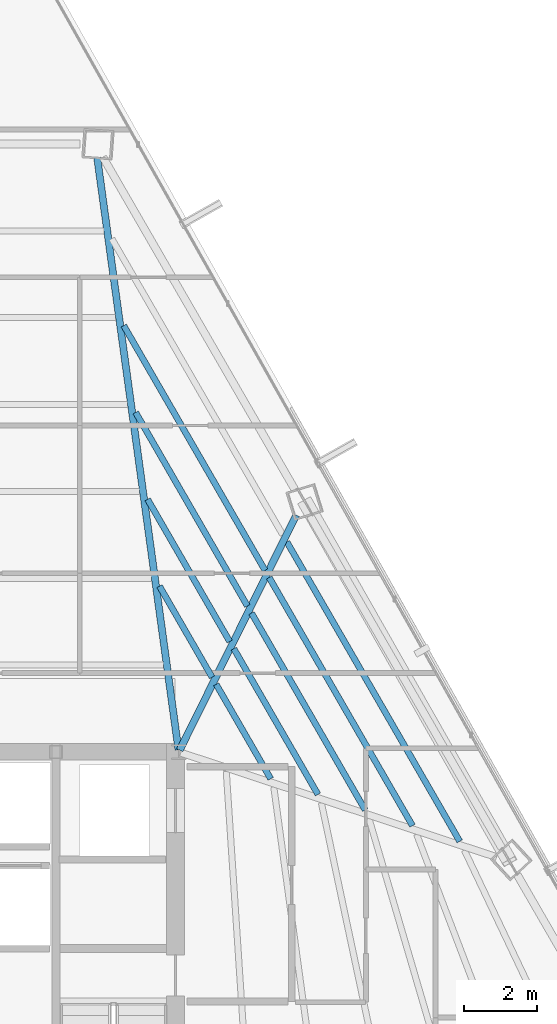
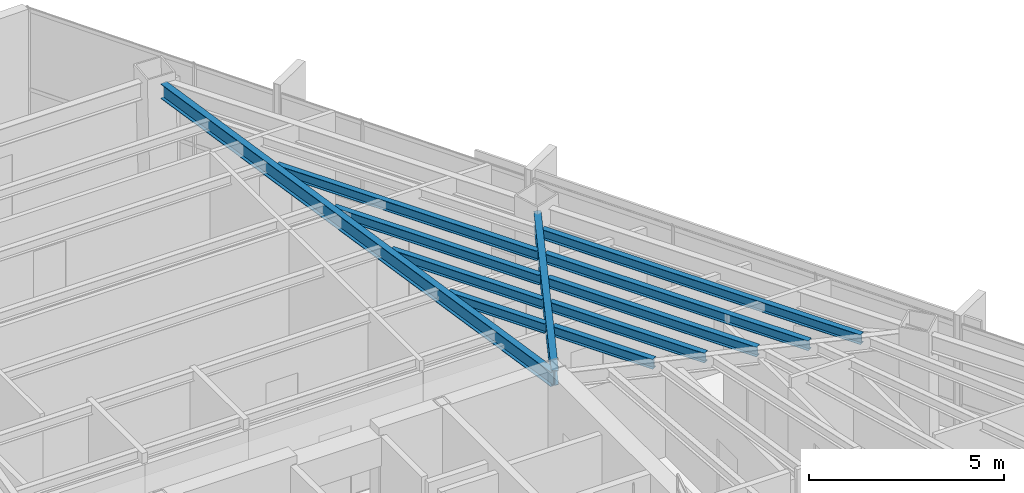
# One storey, part 25 of 42: 11 beams.
"""IFC4 building model written with IfcOpenShell, lengths in metres."""

from ifc_helpers import new_model, si_unit, direction, frame, origin, origin_2d, place, context, subcontext, project, spatial, i_section, extrude, source, transform, mapped, material, material_profile, profile_set, type_object, type_shapes, element, save


model = new_model("IFC4")

# Units and contexts
model_context = context("Model", 3, precision=1e-05, world=origin(), true_north=direction((0.0, 1.0)))
body_context = subcontext(model_context, "Body", "Model", "MODEL_VIEW")
ifc_project = project(units=[si_unit("LENGTHUNIT", "METRE"), si_unit("AREAUNIT", "SQUARE_METRE"), si_unit("VOLUMEUNIT", "CUBIC_METRE"), si_unit("PLANEANGLEUNIT", "RADIAN"), si_unit("MASSUNIT", "GRAM", prefix="KILO")], contexts=[model_context])

# Site, building, storey
site_placement = place(None, origin())
site = spatial("IfcSite", under=ifc_project, at=site_placement, CompositionType="ELEMENT")
building_placement = place(site_placement, origin())
building = spatial("IfcBuilding", under=site, at=building_placement, Name="Caelisora Broadcast Tower", CompositionType="ELEMENT")
storey_placement = place(building_placement, frame((0.0, 0.0, 195.0)))
storey = spatial("IfcBuildingStorey", under=building, at=storey_placement, Name="L51", CompositionType="ELEMENT", Elevation=195.0)

# Beams
ifc_material = material(Name="Steel Grade 350 (AS/NZS 3679.1)", Category="steel")
ifc_material_profile_1 = material_profile(ifc_material, i_section(OverallWidth=0.19091796875, OverallDepth=0.46044921875, WebThickness=0.010009765625, FlangeThickness=0.01611328125, at=origin_2d()), Name="Steel Grade 350 (AS/NZS 3679.1)")
ifc_profile_set_1 = profile_set([ifc_material_profile_1], Name="Steel Grade 350 (AS/NZS 3679.1)")
beam_type_1 = type_object("IfcBeamType", Name="PG06", PredefinedType="BEAM", material=ifc_profile_set_1)
shared_shape_1 = source(origin(), body_context, "Body", "SweptSolid", [
    extrude(i_section(OverallWidth=0.19091796875, OverallDepth=0.46044921875, WebThickness=0.010009765625, FlangeThickness=0.01611328125, at=origin_2d()), origin(), (0.0, 0.0, 1.0), 16.29248046875),
])
beam_1_placement = place(storey_placement, frame((45.49169921875, 30.059326171875, 3.169921875), z_axis=(-0.135958391487, 0.990714548084, 0.0), x_axis=(-0.990714548084, -0.135958391487, 0.0)))
element("IfcBeam", 1, at=beam_1_placement, inside=storey, type_object=beam_type_1, Name="L51 beam PG06", PredefinedType="BEAM", context=body_context, shape_type="MappedRepresentation", body=[
    mapped(shared_shape_1, transform((0.0, 0.0, 0.0), scale=1.0)),
])
shared_shape_2 = source(origin(), body_context, "Body", "SweptSolid", [
    extrude(i_section(OverallWidth=0.19091796875, OverallDepth=0.46044921875, WebThickness=0.010009765625, FlangeThickness=0.01611328125, at=origin_2d()), origin(), (0.0, 0.0, 1.0), 7.1494140625),
])
type_shapes(beam_type_1, [shared_shape_1, shared_shape_2])
beam_2_placement = place(storey_placement, frame((45.526611328125, 30.0537109375, 3.169921875), z_axis=(0.444411210266, 0.89582290448, 0.0), x_axis=(-0.89582290448, 0.444411210266, 0.0)))
element("IfcBeam", 2, at=beam_2_placement, inside=storey, type_object=beam_type_1, Name="L51 beam PG06", PredefinedType="BEAM", context=body_context, shape_type="MappedRepresentation", body=[
    mapped(shared_shape_2, transform((0.0, 0.0, 0.0), scale=1.0)),
])
ifc_material_profile_2 = material_profile(ifc_material, i_section(OverallWidth=0.166015625, OverallDepth=0.30712890625, WebThickness=0.006591796875, FlangeThickness=0.01171875, at=origin_2d()), Name="Steel Grade 350 (AS/NZS 3679.1)")
ifc_profile_set_2 = profile_set([ifc_material_profile_2], Name="Steel Grade 350 (AS/NZS 3679.1)")
beam_type_2 = type_object("IfcBeamType", Name="SB03", PredefinedType="JOIST", material=ifc_profile_set_2)
shared_shape_3 = source(origin(), body_context, "Body", "SweptSolid", [
    extrude(i_section(OverallWidth=0.166015625, OverallDepth=0.30712890625, WebThickness=0.006591796875, FlangeThickness=0.01171875, at=origin_2d()), origin(), (0.0, 0.0, 1.0), 2.865966796875),
])
beam_3_placement = place(storey_placement, frame((46.4072265625, 32.0380859375, 3.246337890625), z_axis=(-0.499978095242, 0.866038050133, 0.0), x_axis=(-0.866038050133, -0.499978095242, 0.0)))
element("IfcBeam", 3, at=beam_3_placement, inside=storey, type_object=beam_type_2, Name="L51 beam SB03", PredefinedType="JOIST", context=body_context, shape_type="MappedRepresentation", body=[
    mapped(shared_shape_3, transform((0.0, 0.0, 0.0), scale=1.0)),
])
shared_shape_4 = source(origin(), body_context, "Body", "SweptSolid", [
    extrude(i_section(OverallWidth=0.166015625, OverallDepth=0.30712890625, WebThickness=0.006591796875, FlangeThickness=0.01171875, at=origin_2d()), origin(), (0.0, 0.0, 1.0), 4.47900390625),
])
beam_4_placement = place(storey_placement, frame((46.888916015625, 33.0087890625, 3.246337890625), z_axis=(-0.500002408836, 0.866024013038, 0.0), x_axis=(-0.866024013038, -0.500002408836, 0.0)))
element("IfcBeam", 4, at=beam_4_placement, inside=storey, type_object=beam_type_2, Name="L51 beam SB03", PredefinedType="JOIST", context=body_context, shape_type="MappedRepresentation", body=[
    mapped(shared_shape_4, transform((0.0, 0.0, 0.0), scale=1.0)),
])
shared_shape_5 = source(origin(), body_context, "Body", "SweptSolid", [
    extrude(i_section(OverallWidth=0.166015625, OverallDepth=0.30712890625, WebThickness=0.006591796875, FlangeThickness=0.01171875, at=origin_2d()), origin(), (0.0, 0.0, 1.0), 6.092041015625),
])
beam_5_placement = place(storey_placement, frame((47.370361328125, 33.9794921875, 3.246337890625), z_axis=(-0.499983789798, 0.866034762547, 0.0), x_axis=(-0.866034762547, -0.499983789798, 0.0)))
element("IfcBeam", 5, at=beam_5_placement, inside=storey, type_object=beam_type_2, Name="L51 beam SB03", PredefinedType="JOIST", context=body_context, shape_type="MappedRepresentation", body=[
    mapped(shared_shape_5, transform((0.0, 0.0, 0.0), scale=1.0)),
])
shared_shape_6 = source(origin(), body_context, "Body", "SweptSolid", [
    extrude(i_section(OverallWidth=0.166015625, OverallDepth=0.30712890625, WebThickness=0.006591796875, FlangeThickness=0.01171875, at=origin_2d()), origin(), (0.0, 0.0, 1.0), 7.704833984375),
])
beam_6_placement = place(storey_placement, frame((47.851806640625, 34.9501953125, 3.246337890625), z_axis=(-0.499986686542, 0.866033090176, 0.0), x_axis=(-0.866033090176, -0.499986686542, 0.0)))
element("IfcBeam", 6, at=beam_6_placement, inside=storey, type_object=beam_type_2, Name="L51 beam SB03", PredefinedType="JOIST", context=body_context, shape_type="MappedRepresentation", body=[
    mapped(shared_shape_6, transform((0.0, 0.0, 0.0), scale=1.0)),
])
shared_shape_7 = source(origin(), body_context, "Body", "SweptSolid", [
    extrude(i_section(OverallWidth=0.166015625, OverallDepth=0.30712890625, WebThickness=0.006591796875, FlangeThickness=0.01171875, at=origin_2d()), origin(), (0.0, 0.0, 1.0), 2.9736328125),
])
beam_7_placement = place(storey_placement, frame((48.005859375, 29.26953125, 3.246337890625), z_axis=(-0.500006734102, 0.866021515814, 0.0), x_axis=(-0.866021515814, -0.500006734102, 0.0)))
element("IfcBeam", 7, at=beam_7_placement, inside=storey, type_object=beam_type_2, Name="L51 beam SB03", PredefinedType="JOIST", context=body_context, shape_type="MappedRepresentation", body=[
    mapped(shared_shape_7, transform((0.0, 0.0, 0.0), scale=1.0)),
])
shared_shape_8 = source(origin(), body_context, "Body", "SweptSolid", [
    extrude(i_section(OverallWidth=0.166015625, OverallDepth=0.30712890625, WebThickness=0.006591796875, FlangeThickness=0.01171875, at=origin_2d()), origin(), (0.0, 0.0, 1.0), 4.586669921875),
])
beam_8_placement = place(storey_placement, frame((49.293701171875, 28.84326171875, 3.246337890625), z_axis=(-0.49998048292, 0.866036671682, 0.0), x_axis=(-0.866036671682, -0.49998048292, 0.0)))
element("IfcBeam", 8, at=beam_8_placement, inside=storey, type_object=beam_type_2, Name="L51 beam SB03", PredefinedType="JOIST", context=body_context, shape_type="MappedRepresentation", body=[
    mapped(shared_shape_8, transform((0.0, 0.0, 0.0), scale=1.0)),
])
shared_shape_9 = source(origin(), body_context, "Body", "SweptSolid", [
    extrude(i_section(OverallWidth=0.166015625, OverallDepth=0.30712890625, WebThickness=0.006591796875, FlangeThickness=0.01171875, at=origin_2d()), origin(), (0.0, 0.0, 1.0), 6.199462890625),
])
beam_9_placement = place(storey_placement, frame((50.581787109375, 28.417236328125, 3.246337890625), z_axis=(-0.499984943379, 0.866034096554, 0.0), x_axis=(-0.866034096554, -0.499984943379, 0.0)))
element("IfcBeam", 9, at=beam_9_placement, inside=storey, type_object=beam_type_2, Name="L51 beam SB03", PredefinedType="JOIST", context=body_context, shape_type="MappedRepresentation", body=[
    mapped(shared_shape_9, transform((0.0, 0.0, 0.0), scale=1.0)),
])
shared_shape_10 = source(origin(), body_context, "Body", "SweptSolid", [
    extrude(i_section(OverallWidth=0.166015625, OverallDepth=0.30712890625, WebThickness=0.006591796875, FlangeThickness=0.01171875, at=origin_2d()), origin(), (0.0, 0.0, 1.0), 7.8125),
])
beam_10_placement = place(storey_placement, frame((51.869873046875, 27.990966796875, 3.246337890625), z_axis=(-0.499997468525, 0.866026865327, 0.0), x_axis=(-0.866026865327, -0.499997468525, 0.0)))
element("IfcBeam", 10, at=beam_10_placement, inside=storey, type_object=beam_type_2, Name="L51 beam SB03", PredefinedType="JOIST", context=body_context, shape_type="MappedRepresentation", body=[
    mapped(shared_shape_10, transform((0.0, 0.0, 0.0), scale=1.0)),
])
shared_shape_11 = source(origin(), body_context, "Body", "SweptSolid", [
    extrude(i_section(OverallWidth=0.166015625, OverallDepth=0.30712890625, WebThickness=0.006591796875, FlangeThickness=0.01171875, at=origin_2d()), origin(), (0.0, 0.0, 1.0), 9.42529296875),
])
type_shapes(beam_type_2, [shared_shape_3, shared_shape_4, shared_shape_5, shared_shape_6, shared_shape_7, shared_shape_8, shared_shape_9, shared_shape_10, shared_shape_11])
beam_11_placement = place(storey_placement, frame((53.157958984375, 27.56494140625, 3.246337890625), z_axis=(-0.499997495864, 0.866026849543, 0.0), x_axis=(-0.866026849543, -0.499997495864, 0.0)))
element("IfcBeam", 11, at=beam_11_placement, inside=storey, type_object=beam_type_2, Name="L51 beam SB03", PredefinedType="JOIST", context=body_context, shape_type="MappedRepresentation", body=[
    mapped(shared_shape_11, transform((0.0, 0.0, 0.0), scale=1.0)),
])

save(model, "model.ifc")
